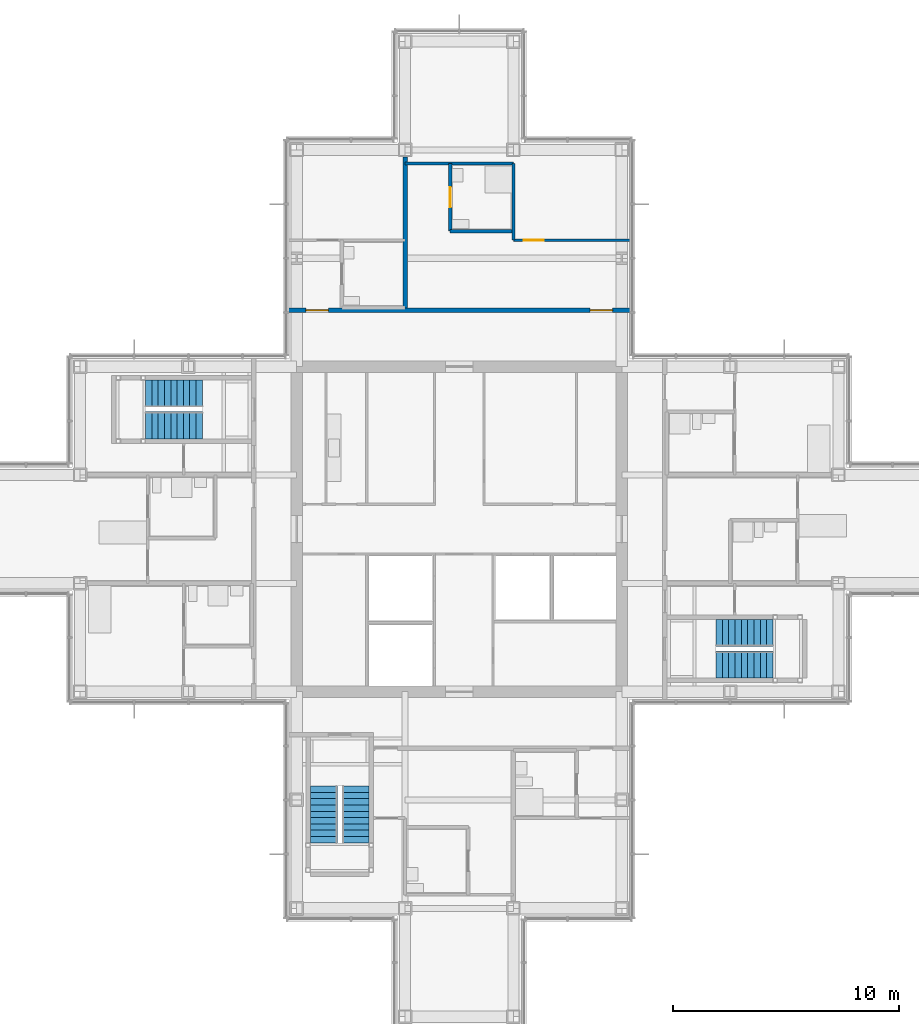
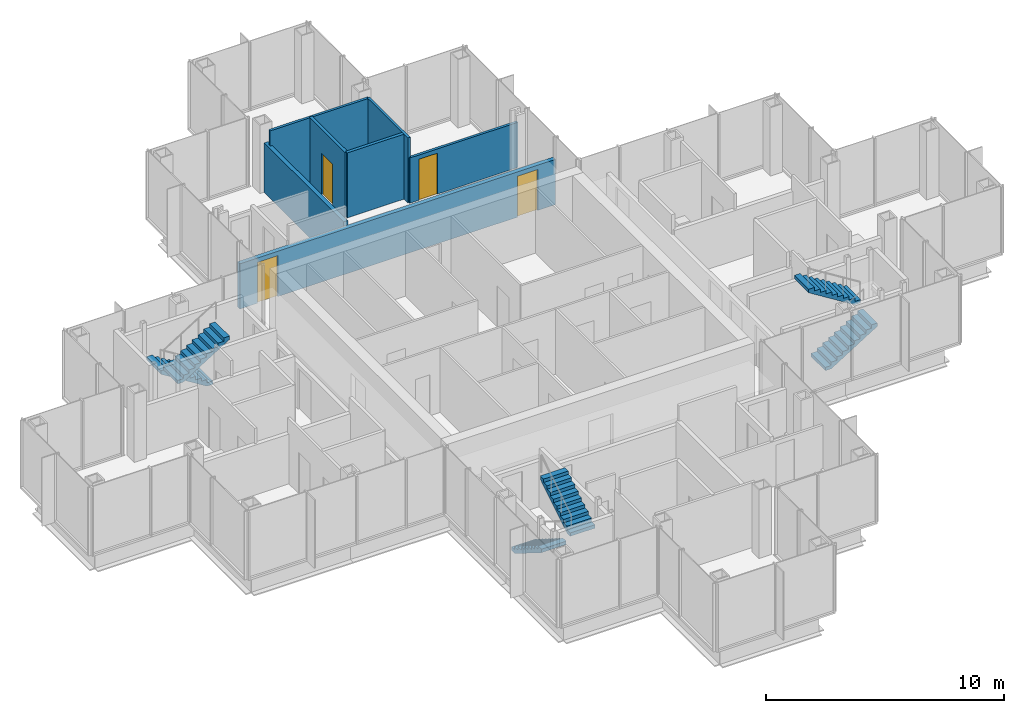
# One storey, part 14 of 17: 7 walls, 6 stair flights, 4 doors, 4 openings, 3 elements without a shape of their own.
"""IFC4 building model written with IfcOpenShell, lengths in metres."""

from ifc_helpers import new_model, si_unit, direction, frame, frame_2d, origin, place, context, subcontext, project, spatial, polyline, rectangle, outline, extrude, material, layer, layer_set, type_object, element, fill, aggregate, save


model = new_model("IFC4")

# Units and contexts
model_context = context("Model", 3, precision=1e-05, world=origin(), true_north=direction((0.0, 1.0)))
body_context = subcontext(model_context, "Body", "Model", "MODEL_VIEW")
ifc_project = project(units=[si_unit("LENGTHUNIT", "METRE"), si_unit("AREAUNIT", "SQUARE_METRE"), si_unit("VOLUMEUNIT", "CUBIC_METRE"), si_unit("PLANEANGLEUNIT", "RADIAN"), si_unit("MASSUNIT", "GRAM", prefix="KILO")], contexts=[model_context])

# Site, building, storey
site_placement = place(None, origin())
site = spatial("IfcSite", under=ifc_project, at=site_placement, CompositionType="ELEMENT")
building_placement = place(site_placement, origin())
building = spatial("IfcBuilding", under=site, at=building_placement, Name="Kvirike Care Tower", CompositionType="ELEMENT")
storey_placement = place(building_placement, frame((0.0, 0.0, 165.5)))
storey = spatial("IfcBuildingStorey", under=building, at=storey_placement, Name="L45", CompositionType="ELEMENT", Elevation=165.5)

# Wall, opening, door
ifc_material_1 = material(Name="Moisture-resistant board partition", Category="gypsum")
ifc_layer_1 = layer(ifc_material_1, 0.14990234375)
ifc_layer_set_1 = layer_set([ifc_layer_1], Name="BATHROOM WALL 150")
wall_type_1 = type_object("IfcWallType", Name="BATHROOM WALL 150", PredefinedType="PARTITIONING", material=ifc_layer_set_1)
wall_1_placement = place(storey_placement, frame((21.199951171875, 52.199951171875, 0.0), z_axis=(0.0, 0.0, 1.0), x_axis=(0.0, -1.0, 0.0)))
wall_1 = element("IfcWall", 1, at=wall_1_placement, inside=storey, type_object=wall_type_1, Name="Bathroom Wall 150 L45", PredefinedType="PARTITIONING", context=body_context, shape_type="SweptSolid", body=[
    extrude(rectangle(XDim=3.0, YDim=0.14990234375, at=frame_2d((1.5, 0.0))), origin(), (0.0, 0.0, 1.0), 3.330078125),
])
opening_1_placement = place(wall_1_placement, frame((1.050048828125, 0.0, 0.0)))
opening_1 = element("IfcOpeningElement", 2, at=opening_1_placement, cuts=wall_1, Name="Opening 45-017", PredefinedType="OPENING", context=body_context, shape_type="SweptSolid", body=[
    extrude(rectangle(XDim=0.89990234375, YDim=2.10009765625, at=frame_2d((0.449951171875, 1.050048828125))), frame((0.0, 0.08544921875, 0.0), z_axis=(0.0, -1.0, 0.0), x_axis=(1.0, 0.0, 0.0)), (0.0, 0.0, 1.0), 0.1708984375),
])
ifc_material_2 = material(Name="Timber door set", Category="wood")
door_type_1 = type_object("IfcDoorType", Name="BATHROOM DOOR 900", OperationType="SINGLE_SWING_RIGHT", PredefinedType="DOOR", material=ifc_material_2)
door_1_placement = place(opening_1_placement, origin())
door_1 = element("IfcDoor", 3, at=door_1_placement, inside=storey, type_object=door_type_1, Name="Assisted bathroom door", OperationType="SINGLE_SWING_RIGHT", OverallHeight=2.10009765625, OverallWidth=0.89990234375, PredefinedType="DOOR", context=body_context, shape_type="SweptSolid", body=[
    extrude(rectangle(XDim=0.89990234375, YDim=2.10009765625, at=frame_2d((0.449951171875, 1.050048828125))), frame((0.0, 0.02197265625, 0.0), z_axis=(0.0, -1.0, 0.0), x_axis=(1.0, 0.0, 0.0)), (0.0, 0.0, 1.0), 0.0439453125),
])
fill(opening_1, door_1)

# Wall
wall_2_placement = place(storey_placement, frame((24.0, 49.199951171875, 0.0), z_axis=(0.0, 0.0, 1.0), x_axis=(-1.0, 0.0, 0.0)))
element("IfcWall", 4, at=wall_2_placement, inside=storey, type_object=wall_type_1, Name="Bathroom Wall 150 L45", PredefinedType="PARTITIONING", context=body_context, shape_type="SweptSolid", body=[
    extrude(rectangle(XDim=2.800048828125, YDim=0.14990234375, at=frame_2d((1.39990234375, 0.0))), origin(), (0.0, 0.0, 1.0), 3.330078125),
])

# Wall, openings, doors
ifc_material_3 = material(Name="Plasterboard corridor wall", Category="gypsum")
ifc_layer_2 = layer(ifc_material_3, 0.199951171875)
ifc_layer_set_2 = layer_set([ifc_layer_2], Name="CORRIDOR WALL 200")
wall_type_2 = type_object("IfcWallType", Name="CORRIDOR WALL 200", PredefinedType="PARTITIONING", material=ifc_layer_set_2)
wall_3_placement = place(storey_placement, frame((29.25, 45.699951171875, 0.0), z_axis=(0.0, 0.0, 1.0), x_axis=(-1.0, 0.0, 0.0)))
wall_3 = element("IfcWall", 5, at=wall_3_placement, inside=storey, type_object=wall_type_2, Name="Corridor Wall 200 L45", PredefinedType="PARTITIONING", context=body_context, shape_type="SweptSolid", body=[
    extrude(rectangle(XDim=15.300048828125, YDim=0.199951171875, at=frame_2d((7.64990234375, 0.0))), origin(), (0.0, 0.0, 1.0), 2.320068359375),
])
opening_2_placement = place(wall_3_placement, frame((0.85009765625, 0.0, 0.0)))
opening_2 = element("IfcOpeningElement", 6, at=opening_2_placement, cuts=wall_3, Name="Opening 45-021", PredefinedType="OPENING", context=body_context, shape_type="SweptSolid", body=[
    extrude(rectangle(XDim=1.0, YDim=2.10009765625, at=frame_2d((0.5, 1.050048828125))), frame((0.0, 0.110595703125, 0.0), z_axis=(0.0, -1.0, 0.0), x_axis=(1.0, 0.0, 0.0)), (0.0, 0.0, 1.0), 0.220947265625),
])
opening_3_placement = place(wall_3_placement, frame((13.449951171875, 0.0, 0.0)))
opening_3 = element("IfcOpeningElement", 7, at=opening_3_placement, cuts=wall_3, Name="Opening 45-022", PredefinedType="OPENING", context=body_context, shape_type="SweptSolid", body=[
    extrude(rectangle(XDim=1.0, YDim=2.10009765625, at=frame_2d((0.5, 1.050048828125))), frame((0.0, 0.110595703125, 0.0), z_axis=(0.0, -1.0, 0.0), x_axis=(1.0, 0.0, 0.0)), (0.0, 0.0, 1.0), 0.220947265625),
])
ifc_material_4 = material(Name="Timber door set", Category="wood")
door_type_2 = type_object("IfcDoorType", Name="FLAT ENTRANCE DOOR 1000", OperationType="SINGLE_SWING_LEFT", PredefinedType="DOOR", material=ifc_material_4)
door_2_placement = place(opening_2_placement, frame((1.0, 0.0, 0.0), z_axis=(0.0, 0.0, 1.0), x_axis=(-1.0, 0.0, 0.0)))
door_2 = element("IfcDoor", 8, at=door_2_placement, inside=storey, type_object=door_type_2, Name="Activity room entrance", OperationType="SINGLE_SWING_LEFT", OverallHeight=2.10009765625, OverallWidth=1.0, PredefinedType="DOOR", context=body_context, shape_type="SweptSolid", body=[
    extrude(rectangle(XDim=1.0, YDim=2.10009765625, at=frame_2d((0.5, 1.050048828125))), frame((0.0, 0.02685546875, 0.0), z_axis=(0.0, -1.0, 0.0), x_axis=(1.0, 0.0, 0.0)), (0.0, 0.0, 1.0), 0.053955078125),
])
fill(opening_2, door_2)
door_3_placement = place(opening_3_placement, frame((1.0, 0.0, 0.0), z_axis=(0.0, 0.0, 1.0), x_axis=(-1.0, 0.0, 0.0)))
door_3 = element("IfcDoor", 9, at=door_3_placement, inside=storey, type_object=door_type_2, Name="Sensory therapy room entrance", OperationType="SINGLE_SWING_RIGHT", OverallHeight=2.10009765625, OverallWidth=1.0, PredefinedType="DOOR", context=body_context, shape_type="SweptSolid", body=[
    extrude(rectangle(XDim=1.0, YDim=2.10009765625, at=frame_2d((0.5, 1.050048828125))), frame((0.0, 0.02685546875, 0.0), z_axis=(0.0, -1.0, 0.0), x_axis=(1.0, 0.0, 0.0)), (0.0, 0.0, 1.0), 0.053955078125),
])
fill(opening_3, door_3)

# Wall, opening, door
ifc_material_5 = material(Name="Plasterboard partition", Category="gypsum")
ifc_layer_3 = layer(ifc_material_5, 0.1201171875)
ifc_layer_set_3 = layer_set([ifc_layer_3], Name="PARTITION 120")
wall_type_3 = type_object("IfcWallType", Name="PARTITION 120", PredefinedType="PARTITIONING", material=ifc_layer_set_3)
wall_4_placement = place(storey_placement, frame((29.25, 48.800048828125, 0.0), z_axis=(0.0, 0.0, 1.0), x_axis=(-1.0, 0.0, 0.0)))
wall_4 = element("IfcWall", 10, at=wall_4_placement, inside=storey, type_object=wall_type_3, Name="Partition 120 L45", PredefinedType="PARTITIONING", context=body_context, shape_type="SweptSolid", body=[
    extrude(rectangle(XDim=5.25, YDim=0.1201171875, at=frame_2d((2.625, 0.0))), origin(), (0.0, 0.0, 1.0), 2.320068359375),
])
opening_4_placement = place(wall_4_placement, frame((3.89990234375, 0.0, 0.0)))
opening_4 = element("IfcOpeningElement", 11, at=opening_4_placement, cuts=wall_4, Name="Opening 45-018", PredefinedType="OPENING", context=body_context, shape_type="SweptSolid", body=[
    extrude(rectangle(XDim=0.89990234375, YDim=2.10009765625, at=frame_2d((0.449951171875, 1.050048828125))), frame((0.0, 0.070556640625, 0.0), z_axis=(0.0, -1.0, 0.0), x_axis=(1.0, 0.0, 0.0)), (0.0, 0.0, 1.0), 0.14111328125),
])
ifc_material_6 = material(Name="Timber door set", Category="wood")
door_type_3 = type_object("IfcDoorType", Name="INTERNAL DOOR 900", OperationType="SINGLE_SWING_LEFT", PredefinedType="DOOR", material=ifc_material_6)
door_4_placement = place(opening_4_placement, origin())
door_4 = element("IfcDoor", 12, at=door_4_placement, inside=storey, type_object=door_type_3, Name="Activity room door", OperationType="SINGLE_SWING_RIGHT", OverallHeight=2.10009765625, OverallWidth=0.89990234375, PredefinedType="DOOR", context=body_context, shape_type="SweptSolid", body=[
    extrude(rectangle(XDim=0.89990234375, YDim=2.10009765625, at=frame_2d((0.449951171875, 1.050048828125))), frame((0.0, 0.02197265625, 0.0), z_axis=(0.0, -1.0, 0.0), x_axis=(1.0, 0.0, 0.0)), (0.0, 0.0, 1.0), 0.0439453125),
])
fill(opening_4, door_4)

# Walls
wall_5_placement = place(storey_placement, frame((24.0, 52.199951171875, 0.0), z_axis=(0.0, 0.0, 1.0), x_axis=(-1.0, 0.0, 0.0)))
element("IfcWall", 13, at=wall_5_placement, inside=storey, type_object=wall_type_3, Name="Partition 120 L45", PredefinedType="PARTITIONING", context=body_context, shape_type="SweptSolid", body=[
    extrude(rectangle(XDim=4.800048828125, YDim=0.1201171875, at=frame_2d((2.39990234375, 0.0))), origin(), (0.0, 0.0, 1.0), 3.330078125),
])
wall_6_placement = place(storey_placement, frame((24.0, 52.199951171875, 0.0), z_axis=(0.0, 0.0, 1.0), x_axis=(0.0, -1.0, 0.0)))
element("IfcWall", 14, at=wall_6_placement, inside=storey, type_object=wall_type_3, Name="Partition 120 L45", PredefinedType="PARTITIONING", context=body_context, shape_type="SweptSolid", body=[
    extrude(rectangle(XDim=3.39990234375, YDim=0.1201171875, at=frame_2d((1.699951171875, 0.0))), origin(), (0.0, 0.0, 1.0), 3.330078125),
])
ifc_material_7 = material(Name="Plasterboard party wall", Category="gypsum")
ifc_layer_4 = layer(ifc_material_7, 0.199951171875)
ifc_layer_set_4 = layer_set([ifc_layer_4], Name="PARTY WALL 200")
wall_type_4 = type_object("IfcWallType", Name="PARTY WALL 200", PredefinedType="PARTITIONING", material=ifc_layer_set_4)
wall_7_placement = place(storey_placement, frame((19.199951171875, 52.47998046875, 0.0), z_axis=(0.0, 0.0, 1.0), x_axis=(0.0, -1.0, 0.0)))
element("IfcWall", 15, at=wall_7_placement, inside=storey, type_object=wall_type_4, Name="Party Wall 200 L45", PredefinedType="PARTITIONING", context=body_context, shape_type="SweptSolid", body=[
    extrude(rectangle(XDim=6.679931640625, YDim=0.199951171875, at=frame_2d((3.33984375, 0.0))), origin(), (0.0, 0.0, 1.0), 2.550048828125),
])

# Stair, stair flights
ifc_material_8 = material(Name="Concrete C35/45", Category="concrete")
stair_type = type_object("IfcStairType", Name="STAIR 20 RISERS", PredefinedType="HALF_TURN_STAIR", material=ifc_material_8)
stair_1_placement = place(storey_placement, origin())
stair_1 = element("IfcStair", 16, at=stair_1_placement, inside=storey, type_object=stair_type, Name="Stair 1 L45", PredefinedType="HALF_TURN_STAIR")
ifc_material_9 = material(Name="Concrete C35/45", Category="concrete")
stair_flight_type = type_object("IfcStairFlightType", Name="FLIGHT 10 RISERS", PredefinedType="STRAIGHT", material=ifc_material_9)
stair_flight_1_placement = place(storey_placement, frame((10.219970703125, 42.0, 0.0), z_axis=(0.0, 0.0, 1.0), x_axis=(-1.0, 0.0, 0.0)))
stair_flight_1 = element("IfcStairFlight", 17, at=stair_flight_1_placement, type_object=stair_flight_type, Name="Stair S1 flight 1 L45-L46", NumberOfRisers=10, NumberOfTreads=9, PredefinedType="STRAIGHT", RiserHeight=0.175, TreadLength=0.28, context=body_context, shape_type="SweptSolid", body=[
    extrude(outline(polyline([(0.0, 0.0), (0.0, 0.175048828125), (0.280029296875, 0.175048828125), (0.280029296875, 0.35009765625), (0.56005859375, 0.35009765625), (0.56005859375, 0.52490234375), (0.840087890625, 0.52490234375), (0.840087890625, 0.699951171875), (1.1201171875, 0.699951171875), (1.1201171875, 0.875), (1.39990234375, 0.875), (1.39990234375, 1.050048828125), (1.679931640625, 1.050048828125), (1.679931640625, 1.22509765625), (1.9599609375, 1.22509765625), (1.9599609375, 1.39990234375), (2.239990234375, 1.39990234375), (2.239990234375, 1.574951171875), (2.52001953125, 1.574951171875), (2.52001953125, 1.75), (2.52001953125, 1.398193359375), (0.28271484375, 0.0), (0.0, 0.0)])), frame((0.0, 0.60009765625, 0.0), z_axis=(0.0, -1.0, 0.0), x_axis=(1.0, 0.0, 0.0)), (0.0, 0.0, 1.0), 1.199951171875),
])
stair_flight_2_placement = place(storey_placement, frame((7.699951171875, 40.60009765625, 1.75), z_axis=(0.0, 0.0, 1.0), x_axis=(1.0, 0.0, 0.0)))
stair_flight_2 = element("IfcStairFlight", 18, at=stair_flight_2_placement, type_object=stair_flight_type, Name="Stair S1 flight 2 L45-L46", NumberOfRisers=10, NumberOfTreads=9, PredefinedType="STRAIGHT", RiserHeight=0.175, TreadLength=0.28, context=body_context, shape_type="SweptSolid", body=[
    extrude(outline(polyline([(0.0, 0.0), (0.0, 0.175048828125), (0.280029296875, 0.175048828125), (0.280029296875, 0.35009765625), (0.56005859375, 0.35009765625), (0.56005859375, 0.52490234375), (0.840087890625, 0.52490234375), (0.840087890625, 0.699951171875), (1.1201171875, 0.699951171875), (1.1201171875, 0.875), (1.39990234375, 0.875), (1.39990234375, 1.050048828125), (1.679931640625, 1.050048828125), (1.679931640625, 1.22509765625), (1.9599609375, 1.22509765625), (1.9599609375, 1.39990234375), (2.239990234375, 1.39990234375), (2.239990234375, 1.574951171875), (2.52001953125, 1.574951171875), (2.52001953125, 1.75), (2.52001953125, 1.398193359375), (0.28271484375, 0.0), (0.0, 0.0)])), frame((0.0, 0.60009765625, 0.0), z_axis=(0.0, -1.0, 0.0), x_axis=(1.0, 0.0, 0.0)), (0.0, 0.0, 1.0), 1.199951171875),
])
aggregate(stair_1, [stair_flight_1, stair_flight_2])

stair_2_placement = place(storey_placement, origin())
stair_2 = element("IfcStair", 19, at=stair_2_placement, inside=storey, type_object=stair_type, Name="Stair 2 L45", PredefinedType="HALF_TURN_STAIR")
stair_flight_3_placement = place(storey_placement, frame((32.97998046875, 30.0, 0.0), z_axis=(0.0, 0.0, 1.0), x_axis=(1.0, 0.0, 0.0)))
stair_flight_3 = element("IfcStairFlight", 20, at=stair_flight_3_placement, type_object=stair_flight_type, Name="Stair S2 flight 1 L45-L46", NumberOfRisers=10, NumberOfTreads=9, PredefinedType="STRAIGHT", RiserHeight=0.175, TreadLength=0.28, context=body_context, shape_type="SweptSolid", body=[
    extrude(outline(polyline([(0.0, 0.0), (0.0, 0.175048828125), (0.280029296875, 0.175048828125), (0.280029296875, 0.35009765625), (0.56005859375, 0.35009765625), (0.56005859375, 0.52490234375), (0.840087890625, 0.52490234375), (0.840087890625, 0.699951171875), (1.1201171875, 0.699951171875), (1.1201171875, 0.875), (1.39990234375, 0.875), (1.39990234375, 1.050048828125), (1.679931640625, 1.050048828125), (1.679931640625, 1.22509765625), (1.9599609375, 1.22509765625), (1.9599609375, 1.39990234375), (2.239990234375, 1.39990234375), (2.239990234375, 1.574951171875), (2.52001953125, 1.574951171875), (2.52001953125, 1.75), (2.52001953125, 1.398193359375), (0.28271484375, 0.0), (0.0, 0.0)])), frame((0.0, 0.60009765625, 0.0), z_axis=(0.0, -1.0, 0.0), x_axis=(1.0, 0.0, 0.0)), (0.0, 0.0, 1.0), 1.199951171875),
])
stair_flight_4_placement = place(storey_placement, frame((35.5, 31.39990234375, 1.75), z_axis=(0.0, 0.0, 1.0), x_axis=(-1.0, 0.0, 0.0)))
stair_flight_4 = element("IfcStairFlight", 21, at=stair_flight_4_placement, type_object=stair_flight_type, Name="Stair S2 flight 2 L45-L46", NumberOfRisers=10, NumberOfTreads=9, PredefinedType="STRAIGHT", RiserHeight=0.175, TreadLength=0.28, context=body_context, shape_type="SweptSolid", body=[
    extrude(outline(polyline([(0.0, 0.0), (0.0, 0.175048828125), (0.280029296875, 0.175048828125), (0.280029296875, 0.35009765625), (0.56005859375, 0.35009765625), (0.56005859375, 0.52490234375), (0.840087890625, 0.52490234375), (0.840087890625, 0.699951171875), (1.1201171875, 0.699951171875), (1.1201171875, 0.875), (1.39990234375, 0.875), (1.39990234375, 1.050048828125), (1.679931640625, 1.050048828125), (1.679931640625, 1.22509765625), (1.9599609375, 1.22509765625), (1.9599609375, 1.39990234375), (2.239990234375, 1.39990234375), (2.239990234375, 1.574951171875), (2.52001953125, 1.574951171875), (2.52001953125, 1.75), (2.52001953125, 1.398193359375), (0.28271484375, 0.0), (0.0, 0.0)])), frame((0.0, 0.60009765625, 0.0), z_axis=(0.0, -1.0, 0.0), x_axis=(1.0, 0.0, 0.0)), (0.0, 0.0, 1.0), 1.199951171875),
])
aggregate(stair_2, [stair_flight_3, stair_flight_4])

stair_3_placement = place(storey_placement, origin())
stair_3 = element("IfcStair", 22, at=stair_3_placement, inside=storey, type_object=stair_type, Name="Stair 5 L45", PredefinedType="HALF_TURN_STAIR")
stair_flight_5_placement = place(storey_placement, frame((15.60009765625, 24.6201171875, 0.0), z_axis=(0.0, 0.0, 1.0), x_axis=(0.0, -1.0, 0.0)))
stair_flight_5 = element("IfcStairFlight", 23, at=stair_flight_5_placement, type_object=stair_flight_type, Name="Stair S5 flight 1 L45-L46", NumberOfRisers=10, NumberOfTreads=9, PredefinedType="STRAIGHT", RiserHeight=0.175, TreadLength=0.28, context=body_context, shape_type="SweptSolid", body=[
    extrude(outline(polyline([(0.0, 0.0), (0.0, 0.175048828125), (0.280029296875, 0.175048828125), (0.280029296875, 0.35009765625), (0.56005859375, 0.35009765625), (0.56005859375, 0.52490234375), (0.840087890625, 0.52490234375), (0.840087890625, 0.699951171875), (1.1201171875, 0.699951171875), (1.1201171875, 0.875), (1.39990234375, 0.875), (1.39990234375, 1.050048828125), (1.679931640625, 1.050048828125), (1.679931640625, 1.22509765625), (1.9599609375, 1.22509765625), (1.9599609375, 1.39990234375), (2.239990234375, 1.39990234375), (2.239990234375, 1.574951171875), (2.52001953125, 1.574951171875), (2.52001953125, 1.75), (2.52001953125, 1.398193359375), (0.28271484375, 0.0), (0.0, 0.0)])), frame((0.0, 0.60009765625, 0.0), z_axis=(0.0, -1.0, 0.0), x_axis=(1.0, 0.0, 0.0)), (0.0, 0.0, 1.0), 1.199951171875),
])
stair_flight_6_placement = place(storey_placement, frame((17.0, 22.10009765625, 1.75), z_axis=(0.0, 0.0, 1.0), x_axis=(0.0, 1.0, 0.0)))
stair_flight_6 = element("IfcStairFlight", 24, at=stair_flight_6_placement, type_object=stair_flight_type, Name="Stair S5 flight 2 L45-L46", NumberOfRisers=10, NumberOfTreads=9, PredefinedType="STRAIGHT", RiserHeight=0.175, TreadLength=0.28, context=body_context, shape_type="SweptSolid", body=[
    extrude(outline(polyline([(0.0, 0.0), (0.0, 0.175048828125), (0.280029296875, 0.175048828125), (0.280029296875, 0.35009765625), (0.56005859375, 0.35009765625), (0.56005859375, 0.52490234375), (0.840087890625, 0.52490234375), (0.840087890625, 0.699951171875), (1.1201171875, 0.699951171875), (1.1201171875, 0.875), (1.39990234375, 0.875), (1.39990234375, 1.050048828125), (1.679931640625, 1.050048828125), (1.679931640625, 1.22509765625), (1.9599609375, 1.22509765625), (1.9599609375, 1.39990234375), (2.239990234375, 1.39990234375), (2.239990234375, 1.574951171875), (2.52001953125, 1.574951171875), (2.52001953125, 1.75), (2.52001953125, 1.398193359375), (0.28271484375, 0.0), (0.0, 0.0)])), frame((0.0, 0.60009765625, 0.0), z_axis=(0.0, -1.0, 0.0), x_axis=(1.0, 0.0, 0.0)), (0.0, 0.0, 1.0), 1.199951171875),
])
aggregate(stair_3, [stair_flight_5, stair_flight_6])

save(model, "model.ifc")
